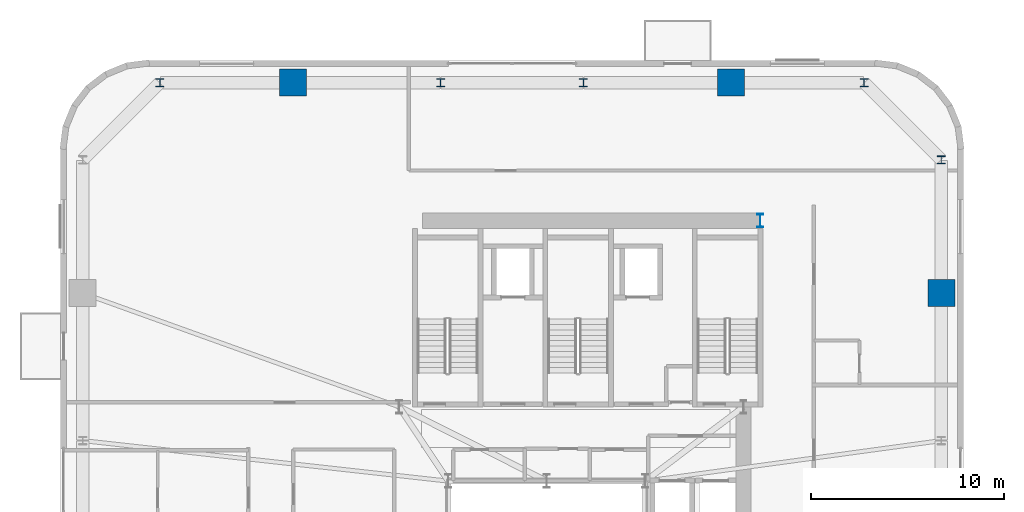
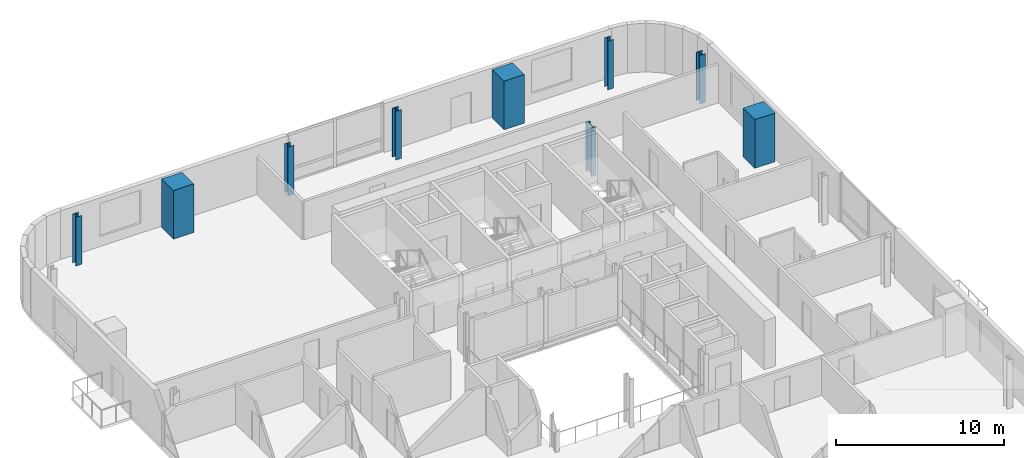
# One storey, part 2 of 17: 9 columns.
"""IFC4 building model written with IfcOpenShell, lengths in metres."""

from ifc_helpers import new_model, si_unit, direction, frame, origin, origin_2d, place, context, subcontext, project, spatial, rectangle, i_section, extrude, source, transform, mapped, material, material_profile, profile_set, type_object, element, save


model = new_model("IFC4")

# Units and contexts
model_context = context("Model", 3, precision=1e-05, world=origin(), true_north=direction((0.0, 1.0)))
body_context = subcontext(model_context, "Body", "Model", "MODEL_VIEW")
ifc_project = project(units=[si_unit("LENGTHUNIT", "METRE"), si_unit("AREAUNIT", "SQUARE_METRE"), si_unit("VOLUMEUNIT", "CUBIC_METRE"), si_unit("PLANEANGLEUNIT", "RADIAN"), si_unit("MASSUNIT", "GRAM", prefix="KILO")], contexts=[model_context])

# Site, building, storey
site_placement = place(None, origin())
site = spatial("IfcSite", under=ifc_project, at=site_placement, CompositionType="ELEMENT")
building_placement = place(site_placement, origin())
building = spatial("IfcBuilding", under=site, at=building_placement, Name="Vardaveli Station Tower", CompositionType="ELEMENT")
storey_placement = place(building_placement, frame((0.0, 0.0, 218.550048828125)))
storey = spatial("IfcBuildingStorey", under=building, at=storey_placement, Name="L56", CompositionType="ELEMENT", Elevation=218.550048828125)

# Columns
ifc_material_1 = material(Name="Structural steel S460M", Category="steel")
ifc_material_profile_1 = material_profile(ifc_material_1, i_section(OverallWidth=0.300048828125, OverallDepth=0.699951171875, WebThickness=0.01708984375, FlangeThickness=0.031982421875, FilletRadius=0.027099609375, at=origin_2d()), Name="HEB 700")
ifc_profile_set_1 = profile_set([ifc_material_profile_1], Name="Structural steel S460M")
column_type_1 = type_object("IfcColumnType", Name="COL-HEB700", PredefinedType="COLUMN", material=ifc_profile_set_1)
shared_shape_1 = source(origin(), body_context, "Body", "SweptSolid", [
    extrude(i_section(OverallWidth=0.300048828125, OverallDepth=0.699951171875, WebThickness=0.01708984375, FlangeThickness=0.031982421875, FilletRadius=0.027099609375, at=origin_2d()), origin(), (0.0, 0.0, 1.0), 3.530029296875),
])
column_placement = place(storey_placement, frame((47.3701171875, 40.300048828125, 0.0), z_axis=(0.0, 0.0, 1.0), x_axis=(1.0, 0.0, 0.0)))
element("IfcColumn", 1, at=column_placement, inside=storey, type_object=column_type_1, Name="COL-L56-CC3", PredefinedType="COLUMN", context=body_context, shape_type="MappedRepresentation", body=[
    mapped(shared_shape_1, transform((0.0, 0.0, 0.0), scale=1.0)),
])
ifc_material_2 = material(Name="Concrete C50/60", Category="concrete")
ifc_material_profile_2 = material_profile(ifc_material_2, rectangle(XDim=1.39990234375, YDim=1.39990234375, at=origin_2d()), Name="MC 1400x1400")
ifc_profile_set_2 = profile_set([ifc_material_profile_2], Name="Concrete C50/60")
column_type_2 = type_object("IfcColumnType", Name="COL-MC-1400", PredefinedType="COLUMN", material=ifc_profile_set_2)
shared_shape_2 = source(origin(), body_context, "Body", "SweptSolid", [
    extrude(rectangle(XDim=1.39990234375, YDim=1.39990234375, at=origin_2d()), origin(), (0.0, 0.0, 1.0), 3.530029296875),
])
for number, where, z_axis, x_axis, name in (
    (2, (56.75, 36.5400390625, 0.0), (0.0, 0.0, 1.0), (1.0, 0.0, 0.0), "COL-L56-MC4"),
    (3, (45.840087890625, 47.449951171875, 0.0), (0.0, 0.0, 1.0), (1.0, 0.0, 0.0), "COL-L56-MC5"),
    (4, (23.159912109375, 47.449951171875, 0.0), (0.0, 0.0, 1.0), (1.0, 0.0, 0.0), "COL-L56-MC6"),
):
    element("IfcColumn", number, at=place(storey_placement, frame(where, z_axis=z_axis, x_axis=x_axis)), inside=storey, type_object=column_type_2, Name=name, PredefinedType="COLUMN", context=body_context, shape_type="MappedRepresentation", body=[
        mapped(shared_shape_2, transform((0.0, 0.0, 0.0), scale=1.0)),
    ])
ifc_material_profile_3 = material_profile(ifc_material_1, i_section(OverallWidth=0.408935546875, OverallDepth=0.4169921875, WebThickness=0.021240234375, FlangeThickness=0.033203125, FilletRadius=0.014892578125, at=origin_2d()), Name="HD 400x347")
ifc_profile_set_3 = profile_set([ifc_material_profile_3], Name="Structural steel S460M")
column_type_3 = type_object("IfcColumnType", Name="COL-HD347", PredefinedType="COLUMN", material=ifc_profile_set_3)
shared_shape_3 = source(origin(), body_context, "Body", "SweptSolid", [
    extrude(i_section(OverallWidth=0.408935546875, OverallDepth=0.4169921875, WebThickness=0.021240234375, FlangeThickness=0.033203125, FilletRadius=0.014892578125, at=origin_2d()), origin(), (0.0, 0.0, 1.0), 3.530029296875),
])
for number, where, z_axis, x_axis, name in (
    (5, (56.75, 43.449951171875, 0.0), (0.0, 0.0, 1.0), (1.0, 0.0, 0.0), "COL-L56-PC08"),
    (6, (52.75, 47.449951171875, 0.0), (0.0, 0.0, 1.0), (1.0, 0.0, 0.0), "COL-L56-PC09"),
    (7, (38.199951171875, 47.449951171875, 0.0), (0.0, 0.0, 1.0), (1.0, 0.0, 0.0), "COL-L56-PC10"),
    (8, (30.800048828125, 47.449951171875, 0.0), (0.0, 0.0, 1.0), (1.0, 0.0, 0.0), "COL-L56-PC11"),
    (9, (16.25, 47.449951171875, 0.0), (0.0, 0.0, 1.0), (1.0, 0.0, 0.0), "COL-L56-PC12"),
):
    element("IfcColumn", number, at=place(storey_placement, frame(where, z_axis=z_axis, x_axis=x_axis)), inside=storey, type_object=column_type_3, Name=name, PredefinedType="COLUMN", context=body_context, shape_type="MappedRepresentation", body=[
        mapped(shared_shape_3, transform((0.0, 0.0, 0.0), scale=1.0)),
    ])

save(model, "model.ifc")
